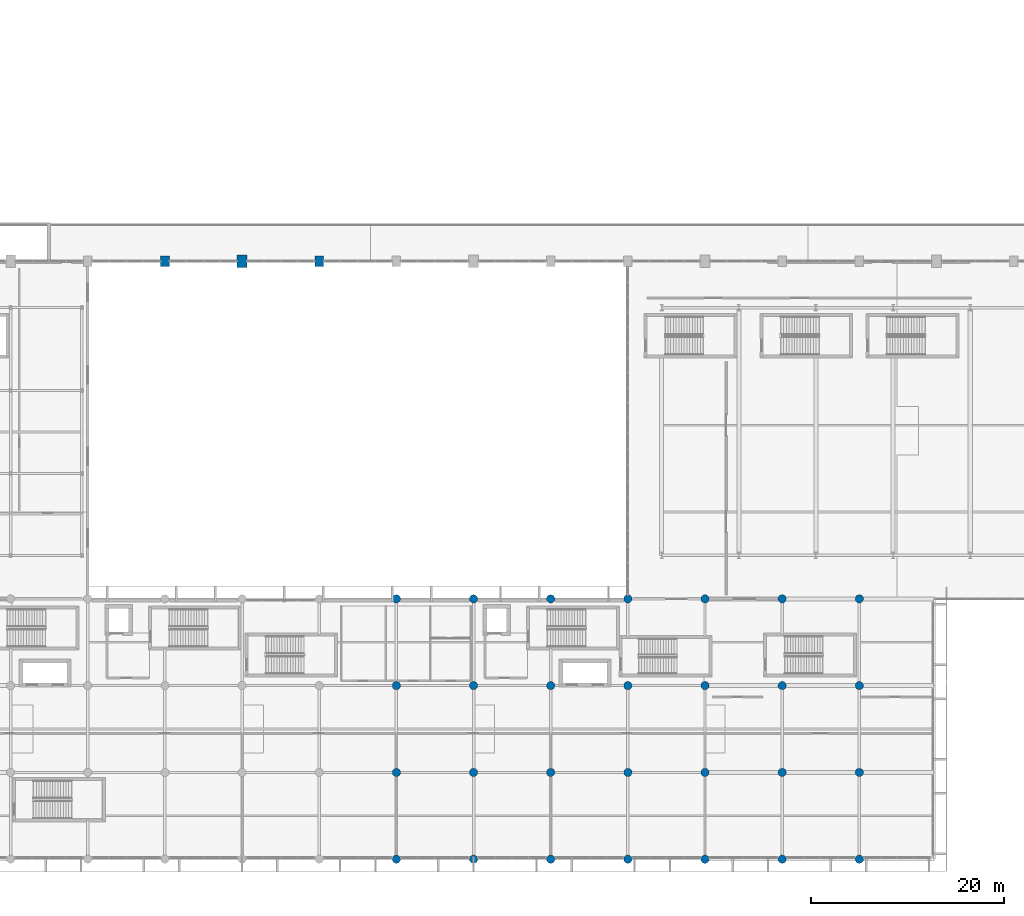
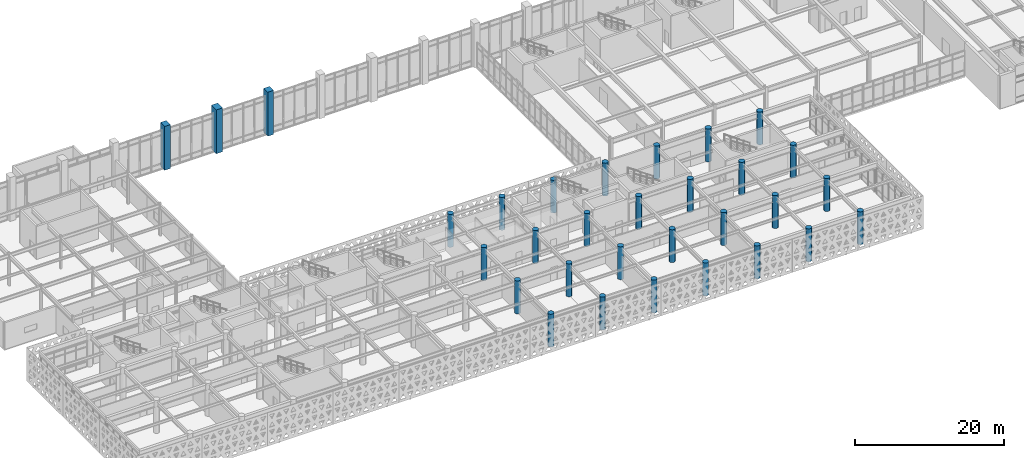
# One storey, part 3 of 84: 31 columns.
"""IFC4 building model written with IfcOpenShell, lengths in metres."""

from ifc_helpers import new_model, si_unit, direction, frame, origin, origin_2d, place, context, subcontext, project, spatial, rectangle, circle, extrude, material, material_profile, profile_set, type_object, element, save


model = new_model("IFC4")

# Units and contexts
model_context = context("Model", 3, precision=1e-05, world=origin(), true_north=direction((0.0, 1.0)))
body_context = subcontext(model_context, "Body", "Model", "MODEL_VIEW")
ifc_project = project(units=[si_unit("LENGTHUNIT", "METRE"), si_unit("AREAUNIT", "SQUARE_METRE"), si_unit("VOLUMEUNIT", "CUBIC_METRE"), si_unit("PLANEANGLEUNIT", "RADIAN"), si_unit("MASSUNIT", "GRAM", prefix="KILO")], contexts=[model_context])

# Site, building, storey
site_placement = place(None, origin())
site = spatial("IfcSite", under=ifc_project, at=site_placement, CompositionType="ELEMENT")
building_placement = place(site_placement, origin())
building = spatial("IfcBuilding", under=site, at=building_placement, Name="Tlacozan Convention Centre", CompositionType="ELEMENT")
storey_placement = place(building_placement, frame((0.0, 0.0, 6.0)))
storey = spatial("IfcBuildingStorey", under=building, at=storey_placement, Name="L01", CompositionType="ELEMENT", Elevation=6.0)

# Columns
ifc_material = material(Name="Concrete C40/50", Category="concrete")
ifc_material_profile_1 = material_profile(ifc_material, rectangle(XDim=0.89990234375, YDim=1.10009765625, at=origin_2d()), Name="RC 900x1100")
ifc_profile_set_1 = profile_set([ifc_material_profile_1], Name="Concrete C40/50")
column_type_1 = type_object("IfcColumnType", Name="Column Buttress RC 900x1100", PredefinedType="COLUMN", material=ifc_profile_set_1)
for number, where, z_axis, x_axis, name in (
    (1, (40.0, 62.0, 0.0), (0.0, 0.0, 1.0), (1.0, 0.0, 0.0), "L01 Column 259"),
    (2, (56.0, 62.0, 0.0), (0.0, 0.0, 1.0), (1.0, 0.0, 0.0), "L01 Column 333"),
):
    element("IfcColumn", number, at=place(storey_placement, frame(where, z_axis=z_axis, x_axis=x_axis)), inside=storey, type_object=column_type_1, Name=name, PredefinedType="COLUMN", context=body_context, shape_type="SweptSolid", body=[
        extrude(rectangle(XDim=0.89990234375, YDim=1.10009765625, at=origin_2d()), origin(), (0.0, 0.0, 1.0), 7.199951171875),
    ])
ifc_material_profile_2 = material_profile(ifc_material, rectangle(XDim=1.0, YDim=1.300048828125, at=origin_2d()), Name="RC 1000x1300")
ifc_profile_set_2 = profile_set([ifc_material_profile_2], Name="Concrete C40/50")
column_type_2 = type_object("IfcColumnType", Name="Column Mega Buttress RC 1000x1300", PredefinedType="COLUMN", material=ifc_profile_set_2)
column_placement = place(storey_placement, frame((48.0, 62.0, 0.0), z_axis=(0.0, 0.0, 1.0), x_axis=(1.0, 0.0, 0.0)))
element("IfcColumn", 3, at=column_placement, inside=storey, type_object=column_type_2, Name="L01 Column 296", PredefinedType="COLUMN", context=body_context, shape_type="SweptSolid", body=[
    extrude(rectangle(XDim=1.0, YDim=1.300048828125, at=origin_2d()), origin(), (0.0, 0.0, 1.0), 7.199951171875),
])
ifc_material_profile_3 = material_profile(ifc_material, circle(Radius=0.425048828125, at=origin_2d()), Name="RCC D850")
ifc_profile_set_3 = profile_set([ifc_material_profile_3], Name="Concrete C40/50")
column_type_3 = type_object("IfcColumnType", Name="Column Round RCC D850", PredefinedType="COLUMN", material=ifc_profile_set_3)
for number, where, z_axis, x_axis, name in (
    (4, (64.0, 0.0, 0.0), (0.0, 0.0, 1.0), (1.0, 0.0, 0.0), "L01 Column 346"),
    (5, (64.0, 9.0, 0.0), (0.0, 0.0, 1.0), (1.0, 0.0, 0.0), "L01 Column 352"),
    (6, (64.0, 18.0, 0.0), (0.0, 0.0, 1.0), (1.0, 0.0, 0.0), "L01 Column 358"),
    (7, (64.0, 27.0, 0.0), (0.0, 0.0, 1.0), (1.0, 0.0, 0.0), "L01 Column 364"),
    (8, (72.0, 0.0, 0.0), (0.0, 0.0, 1.0), (1.0, 0.0, 0.0), "L01 Column 383"),
    (9, (72.0, 9.0, 0.0), (0.0, 0.0, 1.0), (1.0, 0.0, 0.0), "L01 Column 389"),
    (10, (72.0, 18.0, 0.0), (0.0, 0.0, 1.0), (1.0, 0.0, 0.0), "L01 Column 395"),
    (11, (72.0, 27.0, 0.0), (0.0, 0.0, 1.0), (1.0, 0.0, 0.0), "L01 Column 401"),
    (12, (80.0, 0.0, 0.0), (0.0, 0.0, 1.0), (1.0, 0.0, 0.0), "L01 Column 420"),
    (13, (80.0, 9.0, 0.0), (0.0, 0.0, 1.0), (1.0, 0.0, 0.0), "L01 Column 426"),
    (14, (80.0, 18.0, 0.0), (0.0, 0.0, 1.0), (1.0, 0.0, 0.0), "L01 Column 432"),
    (15, (80.0, 27.0, 0.0), (0.0, 0.0, 1.0), (1.0, 0.0, 0.0), "L01 Column 438"),
    (16, (88.0, 0.0, 0.0), (0.0, 0.0, 1.0), (1.0, 0.0, 0.0), "L01 Column 457"),
    (17, (88.0, 9.0, 0.0), (0.0, 0.0, 1.0), (1.0, 0.0, 0.0), "L01 Column 463"),
    (18, (88.0, 18.0, 0.0), (0.0, 0.0, 1.0), (1.0, 0.0, 0.0), "L01 Column 469"),
    (19, (88.0, 27.0, 0.0), (0.0, 0.0, 1.0), (1.0, 0.0, 0.0), "L01 Column 475"),
    (20, (96.0, 0.0, 0.0), (0.0, 0.0, 1.0), (1.0, 0.0, 0.0), "L01 Column 506"),
    (21, (96.0, 9.0, 0.0), (0.0, 0.0, 1.0), (1.0, 0.0, 0.0), "L01 Column 512"),
    (22, (96.0, 18.0, 0.0), (0.0, 0.0, 1.0), (1.0, 0.0, 0.0), "L01 Column 518"),
    (23, (96.0, 27.0, 0.0), (0.0, 0.0, 1.0), (1.0, 0.0, 0.0), "L01 Column 524"),
    (24, (104.0, 0.0, 0.0), (0.0, 0.0, 1.0), (1.0, 0.0, 0.0), "L01 Column 553"),
    (25, (104.0, 9.0, 0.0), (0.0, 0.0, 1.0), (1.0, 0.0, 0.0), "L01 Column 558"),
    (26, (104.0, 18.0, 0.0), (0.0, 0.0, 1.0), (1.0, 0.0, 0.0), "L01 Column 563"),
    (27, (104.0, 27.0, 0.0), (0.0, 0.0, 1.0), (1.0, 0.0, 0.0), "L01 Column 568"),
    (28, (112.0, 0.0, 0.0), (0.0, 0.0, 1.0), (1.0, 0.0, 0.0), "L01 Column 596"),
    (29, (112.0, 9.0, 0.0), (0.0, 0.0, 1.0), (1.0, 0.0, 0.0), "L01 Column 601"),
    (30, (112.0, 18.0, 0.0), (0.0, 0.0, 1.0), (1.0, 0.0, 0.0), "L01 Column 606"),
    (31, (112.0, 27.0, 0.0), (0.0, 0.0, 1.0), (1.0, 0.0, 0.0), "L01 Column 611"),
):
    element("IfcColumn", number, at=place(storey_placement, frame(where, z_axis=z_axis, x_axis=x_axis)), inside=storey, type_object=column_type_3, Name=name, PredefinedType="COLUMN", context=body_context, shape_type="SweptSolid", body=[
        extrude(circle(Radius=0.425048828125, at=origin_2d()), origin(), (0.0, 0.0, 1.0), 5.39990234375),
    ])

save(model, "model.ifc")
